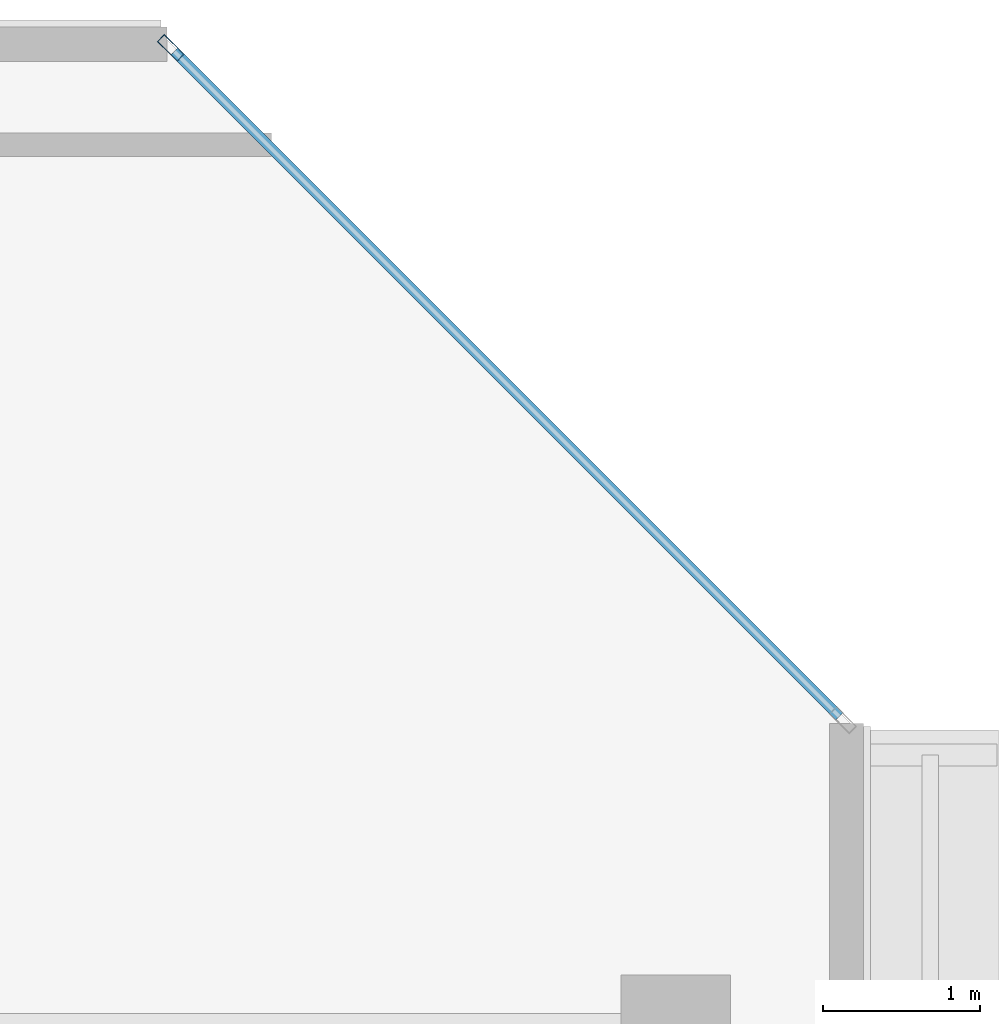
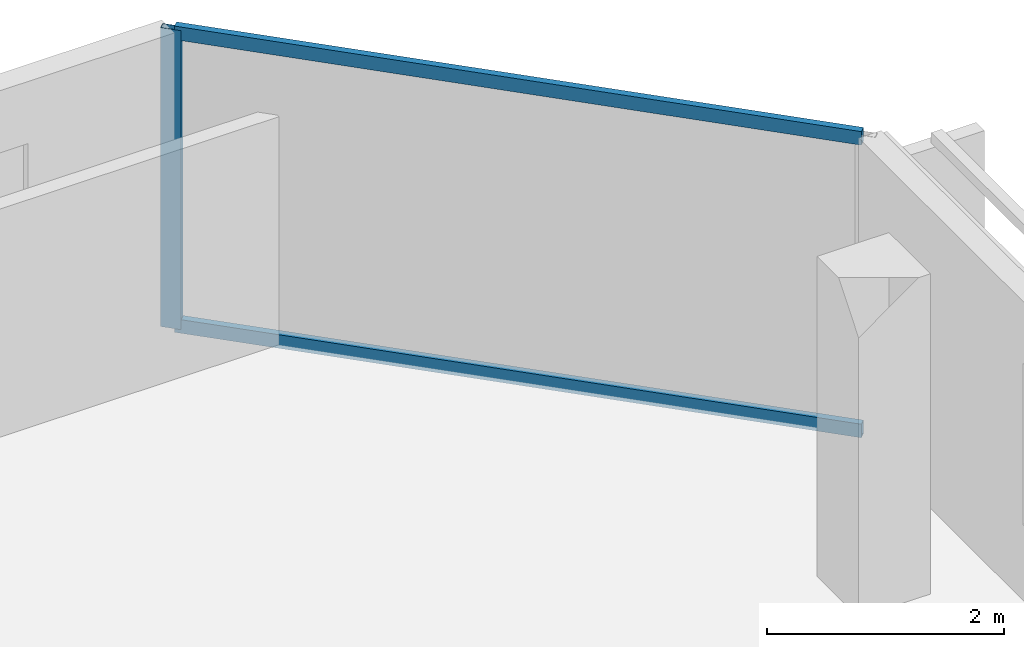
# One storey, part 19 of 29: 3 members, 1 element without a shape of its own.
"""IFC4 building model written with IfcOpenShell, lengths in metres."""

import ifcopenshell
import ifcopenshell.guid

model = None  # the IFC model being written
_history = None  # IfcOwnerHistory: only IFC2X3 demands one
_inside = {}  # id of a spatial element -> (the spatial element, [elements in it])
_under = {}  # id of a project, library or spatial element -> (it, [spatial elements below it])
_declared = {}  # id of a project -> (the project, [libraries it declares])
_typed = {}  # id of a type object -> (the type object, [elements of that type])
_made_of = {}  # id of a material, layer set ... -> (it, [elements and type objects made of it])


def new_model(schema):
    """Start an empty IFC model of exactly this schema.

    Asked for "IFC4X3", IfcOpenShell would pick the latest addendum, in which some entities
    have other attributes; the version numbers below select the first issue.
    IFC2X3 requires an IfcOwnerHistory on every rooted entity: one is made here for all.
    """
    global model, _history
    if schema == "IFC4X3":
        model = ifcopenshell.file(schema_version=(4, 3, 0, 0))
    else:
        model = ifcopenshell.file(schema=schema)
    _inside.clear()
    _under.clear()
    _declared.clear()
    _typed.clear()
    _made_of.clear()
    _history = None
    if model.schema == "IFC2X3":
        org = make("IfcOrganization", Name="unknown")
        user = make(
            "IfcPersonAndOrganization",
            ThePerson=make("IfcPerson", FamilyName="unknown"),
            TheOrganization=org,
        )
        app = make(
            "IfcApplication",
            ApplicationDeveloper=org,
            Version="unknown",
            ApplicationFullName="unknown",
            ApplicationIdentifier="unknown",
        )
        _history = make(
            "IfcOwnerHistory",
            OwningUser=user,
            OwningApplication=app,
            ChangeAction="ADDED",
            CreationDate=0,
        )
    return model


def make(cls, **values):
    """One entity of the class cls with the attributes given. An attribute that is None is left unset."""
    return model.create_entity(
        cls, **{name: value for name, value in values.items() if value is not None}
    )


def rooted(cls, **values):
    """An entity with a GlobalId (a new one), such as an element, a storey or a relation."""
    return make(cls, GlobalId=ifcopenshell.guid.new(), OwnerHistory=_history, **values)


def si_unit(unit_type, name, prefix=None):
    """IfcSIUnit, for example si_unit("LENGTHUNIT", "METRE", prefix="MILLI")."""
    return make("IfcSIUnit", UnitType=unit_type, Prefix=prefix, Name=name)


def assignment(units):
    """IfcUnitAssignment: the units of a project."""
    return None if units is None else make("IfcUnitAssignment", Units=units)


def point(xyz):
    """IfcCartesianPoint."""
    return None if xyz is None else make("IfcCartesianPoint", Coordinates=xyz)


def direction(xyz):
    """IfcDirection."""
    return None if xyz is None else make("IfcDirection", DirectionRatios=xyz)


def frame(location, z_axis=None, x_axis=None):
    """IfcAxis2Placement3D, a coordinate frame: its origin and axes. An axis left out is left unset."""
    return make(
        "IfcAxis2Placement3D",
        Location=point(location),
        Axis=direction(z_axis),
        RefDirection=direction(x_axis),
    )


def frame_2d(location, x_axis=None):
    """IfcAxis2Placement2D, a coordinate frame in the plane: its origin and x axis."""
    return make(
        "IfcAxis2Placement2D", Location=point(location), RefDirection=direction(x_axis)
    )


def origin():
    """The frame at (0, 0, 0) with its axes left unset."""
    return frame((0.0, 0.0, 0.0))


def origin_2d():
    """The frame at (0, 0) in the plane with its x axis left unset."""
    return frame_2d((0.0, 0.0))


def place(relative_to, where):
    """IfcLocalPlacement: puts the frame where relative to a parent placement (None: the world)."""
    return make(
        "IfcLocalPlacement", PlacementRelTo=relative_to, RelativePlacement=where
    )


def context(
    kind, dimensions, precision=None, world=None, true_north=None, identifier=None
):
    """IfcGeometricRepresentationContext, for example the 3D "Model" context."""
    return make(
        "IfcGeometricRepresentationContext",
        ContextIdentifier=identifier,
        ContextType=kind,
        CoordinateSpaceDimension=dimensions,
        Precision=precision,
        WorldCoordinateSystem=world,
        TrueNorth=true_north,
    )


def subcontext(parent, identifier, kind, view, scale=None):
    """IfcGeometricRepresentationSubContext, for example "Body" below "Model"."""
    return make(
        "IfcGeometricRepresentationSubContext",
        ContextIdentifier=identifier,
        ContextType=kind,
        ParentContext=parent,
        TargetScale=scale,
        TargetView=view,
    )


def project(units=None, contexts=None):
    """IfcProject with its units and contexts."""
    return rooted(
        "IfcProject",
        Name="project",
        RepresentationContexts=contexts,
        UnitsInContext=assignment(units),
    )


def spatial(cls, under=None, at=None, **own):
    """A site, building, storey or space (cls), placed at a placement, below another one or the project."""
    s = rooted(cls, ObjectPlacement=at, **own)
    if under is not None:
        _under.setdefault(under.id(), (under, []))[1].append(s)
    return s


def profile(cls, at=None, kind="AREA", **sizes):
    """A parametric profile (cls). Its sizes go by their IFC names, for example OverallWidth=200.0."""
    return make(cls, ProfileType=kind, Position=at, **sizes)


def hollow_rectangle(**sizes):
    """IfcRectangleHollowProfileDef."""
    return profile("IfcRectangleHollowProfileDef", **sizes)


def extrude(swept, where, along, depth):
    """IfcExtrudedAreaSolid: the profile swept, set in the frame where, extruded along a direction by depth."""
    return make(
        "IfcExtrudedAreaSolid",
        SweptArea=swept,
        Position=where,
        ExtrudedDirection=direction(along),
        Depth=depth,
    )


def shape(context_of_items, identifier, shape_type, items):
    """IfcShapeRepresentation: the items that make up one representation, for example the "Body"."""
    return make(
        "IfcShapeRepresentation",
        ContextOfItems=context_of_items,
        RepresentationIdentifier=identifier,
        RepresentationType=shape_type,
        Items=items,
    )


def material(Name=None, Category=None):
    """IfcMaterial."""
    return make("IfcMaterial", Name=Name, Category=Category)


def layer(
    of_material, thickness, ventilated=None, Name=None, Category=None, Priority=None
):
    """IfcMaterialLayer: one layer of a wall or slab, of a material (None: an air gap)."""
    return make(
        "IfcMaterialLayer",
        Material=of_material,
        LayerThickness=thickness,
        IsVentilated=ventilated,
        Name=Name,
        Category=Category,
        Priority=Priority,
    )


def layer_set(layers, Name=None):
    """IfcMaterialLayerSet."""
    return make("IfcMaterialLayerSet", MaterialLayers=layers, LayerSetName=Name)


def material_profile(
    of_material, cross_section, Name=None, Category=None, Priority=None
):
    """IfcMaterialProfile: a cross section and its material."""
    return make(
        "IfcMaterialProfile",
        Name=Name,
        Material=of_material,
        Profile=cross_section,
        Priority=Priority,
        Category=Category,
    )


def profile_set(profiles, Name=None, composite=None):
    """IfcMaterialProfileSet."""
    return make(
        "IfcMaterialProfileSet",
        Name=Name,
        MaterialProfiles=profiles,
        CompositeProfile=composite,
    )


def made_of(thing, what):
    """Note that an element or type object is made of a material, layer set ...; save() writes the relation."""
    if what is not None:
        _made_of.setdefault(what.id(), (what, []))[1].append(thing)
    return thing


def type_object(cls, material=None, **own):
    """A type object (cls), such as IfcWallType, which elements share."""
    return made_of(rooted(cls, **own), material)


def element(
    cls,
    number,
    at=None,
    inside=None,
    cuts=None,
    type_object=None,
    material=None,
    context=None,
    identifier="Body",
    shape_type=None,
    held_by="IfcProductDefinitionShape",
    body=None,
    shapes=None,
    **own,
):
    """One element of the class cls, such as IfcWall. Its Tag is "e" and its number.

    at: its placement. inside: the storey or other place that contains it. cuts: it is an
    opening in that element (IfcRelVoidsElement). A single representation is given by context,
    identifier, shape_type and body (its items); several are given by shapes. held_by: the class
    of the entity that holds the representations. save() writes the other relations.
    """
    e = rooted(cls, Tag="e%d" % number, ObjectPlacement=at, **own)
    if body is not None:
        shapes = [shape(context, identifier, shape_type, body)]
    if shapes is not None:
        e.Representation = make(held_by, Representations=shapes)
    if inside is not None:
        _inside.setdefault(inside.id(), (inside, []))[1].append(e)
    if cuts is not None:
        rooted(
            "IfcRelVoidsElement", RelatingBuildingElement=cuts, RelatedOpeningElement=e
        )
    if type_object is not None:
        _typed.setdefault(type_object.id(), (type_object, []))[1].append(e)
    return made_of(e, material)


def aggregate(whole, parts):
    """IfcRelAggregates: a whole, such as a stair, and the parts it consists of."""
    return rooted("IfcRelAggregates", RelatingObject=whole, RelatedObjects=parts)


def save(model, path):
    """Write the relations noted so far, then the file.

    IfcRelAggregates (storeys below a building ...), IfcRelContainedInSpatialStructure (elements
    in a storey), IfcRelDefinesByType, IfcRelAssociatesMaterial and IfcRelDeclares: one each for
    every whole, place, type object, material and project.
    """
    for whole, parts in _under.values():
        aggregate(whole, parts)
    for where, things in _inside.values():
        rooted(
            "IfcRelContainedInSpatialStructure",
            RelatedElements=things,
            RelatingStructure=where,
        )
    for kind, things in _typed.values():
        rooted("IfcRelDefinesByType", RelatedObjects=things, RelatingType=kind)
    for what, things in _made_of.values():
        rooted("IfcRelAssociatesMaterial", RelatedObjects=things, RelatingMaterial=what)
    for by, libraries in _declared.values():
        rooted("IfcRelDeclares", RelatingContext=by, RelatedDefinitions=libraries)
    model.write(path)


model = new_model("IFC4")

# Units and contexts
model_context = context("Model", 3, precision=1e-05, world=origin(), true_north=direction((0.0, 1.0)))
body_context = subcontext(model_context, "Body", "Model", "MODEL_VIEW")
ifc_project = project(units=[si_unit("LENGTHUNIT", "METRE"), si_unit("AREAUNIT", "SQUARE_METRE"), si_unit("VOLUMEUNIT", "CUBIC_METRE"), si_unit("PLANEANGLEUNIT", "RADIAN"), si_unit("MASSUNIT", "GRAM", prefix="KILO")], contexts=[model_context])

# Site, building, storey
site_placement = place(None, origin())
site = spatial("IfcSite", under=ifc_project, at=site_placement, CompositionType="ELEMENT")
building_placement = place(site_placement, origin())
building = spatial("IfcBuilding", under=site, at=building_placement, Name="Tanjung Sevakor Pilgrim Tower", CompositionType="ELEMENT")
storey_placement = place(building_placement, frame((0.0, 0.0, 232.64990234375)))
storey = spatial("IfcBuildingStorey", under=building, at=storey_placement, Name="L65", CompositionType="ELEMENT", Elevation=232.64990234375)

# Curtain wall, members
ifc_material_1 = material(Name="Aluminium 6063-T6 and Low-E Glass", Category="aluminium")
ifc_layer = layer(ifc_material_1, 0.179931640625)
ifc_layer_set = layer_set([ifc_layer], Name="CW-SYS-CHAM")
curtain_wall_type = type_object("IfcCurtainWallType", Name="CW-SYS-CHAM", PredefinedType="NOTDEFINED", material=ifc_layer_set)
curtain_wall_placement = place(storey_placement, origin())
curtain_wall = element("IfcCurtainWall", 1, at=curtain_wall_placement, inside=storey, type_object=curtain_wall_type, Name="L65 Curtain Wall CW-CHM-L65-EAST-3", PredefinedType="NOTDEFINED")
ifc_material_2 = material(Name="Aluminium 6063-T6", Category="aluminium")
ifc_material_profile_1 = material_profile(ifc_material_2, hollow_rectangle(XDim=0.06494140625, YDim=0.179931640625, WallThickness=0.00390625, at=origin_2d()))
ifc_profile_set_1 = profile_set([ifc_material_profile_1], Name="Aluminium 6063-T6")
member_type_1 = type_object("IfcMemberType", Name="TYPE-CWM-1", PredefinedType="MULLION", material=ifc_profile_set_1)
member_1_placement = place(storey_placement, frame((94.77734375, 54.866943359375, 0.0), z_axis=(0.0, 0.0, 1.0), x_axis=(-0.707106781187, -0.707106781187, 0.0)))
member_1 = element("IfcMember", 2, at=member_1_placement, type_object=member_type_1, Name="CW-CHM mullion 2", PredefinedType="MULLION", context=body_context, shape_type="SweptSolid", body=[
    extrude(hollow_rectangle(XDim=0.06494140625, YDim=0.179931640625, WallThickness=0.00390625, at=origin_2d()), origin(), (0.0, 0.0, 1.0), 3.080078125),
])
ifc_material_3 = material(Name="Aluminium 6063-T6", Category="aluminium")
ifc_material_profile_2 = material_profile(ifc_material_3, hollow_rectangle(XDim=0.06494140625, YDim=0.139892578125, WallThickness=0.00390625, at=origin_2d()))
ifc_profile_set_2 = profile_set([ifc_material_profile_2], Name="Aluminium 6063-T6")
member_type_2 = type_object("IfcMemberType", Name="TYPE-CWT-1", PredefinedType="USERDEFINED", material=ifc_profile_set_2)
member_2_placement = place(storey_placement, frame((99.0439453125, 50.600341796875, 0.03271484375), z_axis=(-0.707106781187, 0.707106781187, 0.0), x_axis=(-0.707106781187, -0.707106781187, 0.0)))
member_2 = element("IfcMember", 3, at=member_2_placement, type_object=member_type_2, Name="CW-CHM transom 1.1", ObjectType="TRANSOM", PredefinedType="USERDEFINED", context=body_context, shape_type="SweptSolid", body=[
    extrude(hollow_rectangle(XDim=0.06494140625, YDim=0.139892578125, WallThickness=0.00390625, at=origin_2d()), origin(), (0.0, 0.0, 1.0), 6.00146484375),
])
member_3_placement = place(storey_placement, frame((99.0439453125, 50.600341796875, 3.047607421875), z_axis=(-0.707106781187, 0.707106781187, 0.0), x_axis=(-0.707106781187, -0.707106781187, 0.0)))
member_3 = element("IfcMember", 4, at=member_3_placement, type_object=member_type_2, Name="CW-CHM transom 1.2", ObjectType="TRANSOM", PredefinedType="USERDEFINED", context=body_context, shape_type="SweptSolid", body=[
    extrude(hollow_rectangle(XDim=0.06494140625, YDim=0.139892578125, WallThickness=0.00390625, at=origin_2d()), origin(), (0.0, 0.0, 1.0), 6.00146484375),
])
aggregate(curtain_wall, [member_1, member_2, member_3])

save(model, "model.ifc")
